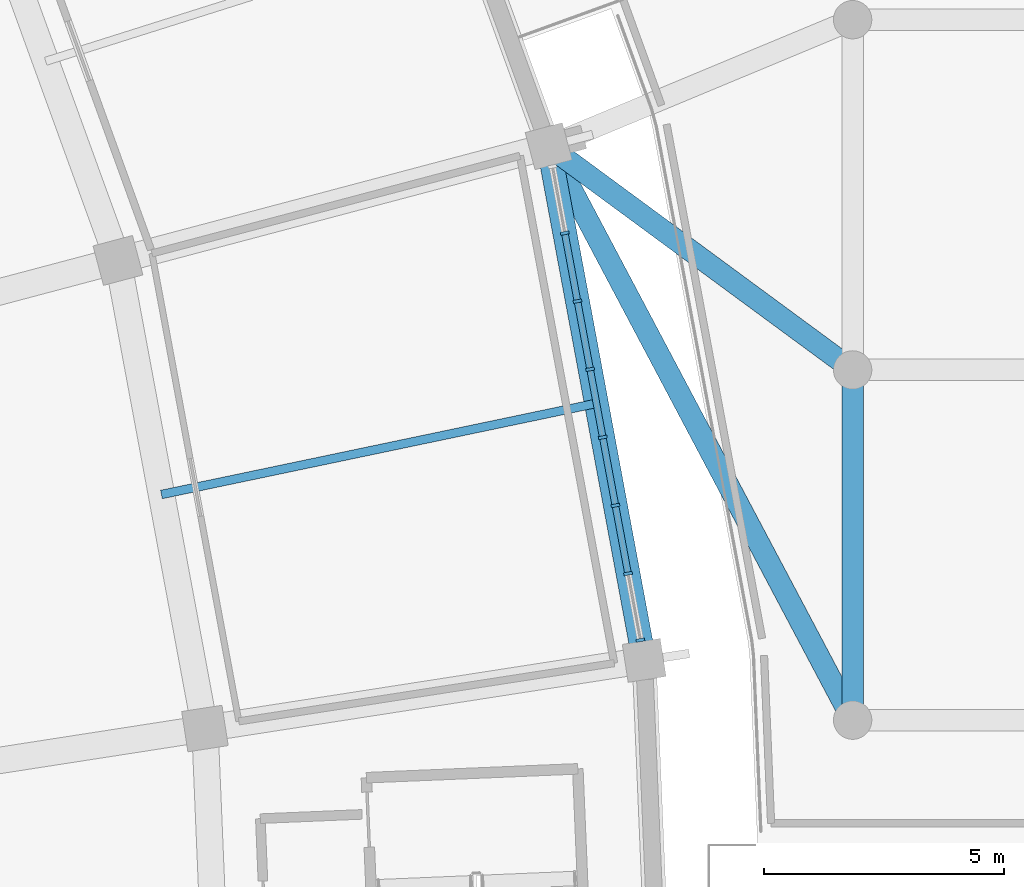
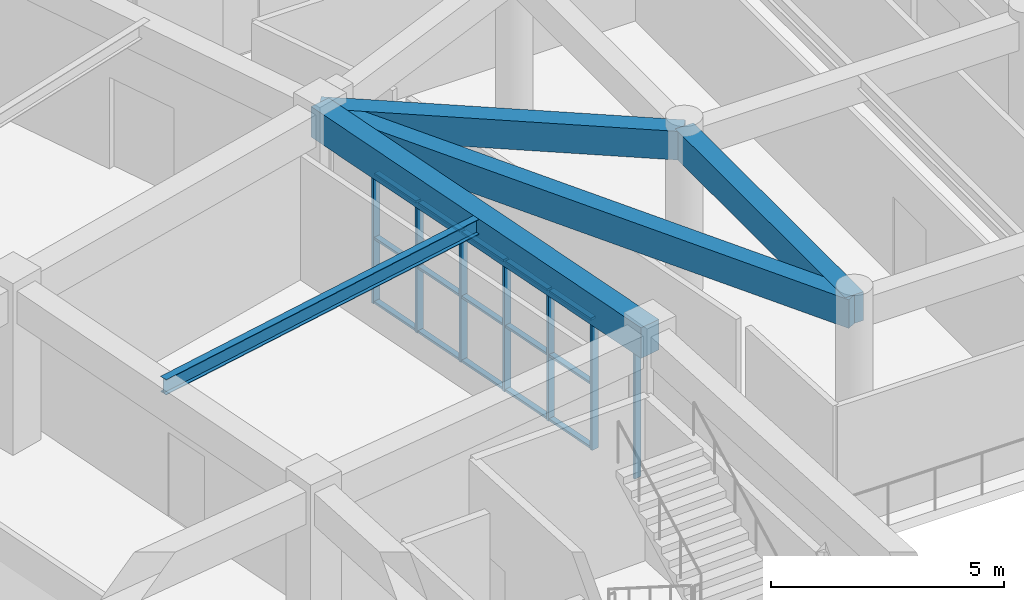
# One storey, part 51 of 145: 22 members, 5 beams, 1 element without a shape of its own.
"""IFC4 building model written with IfcOpenShell, lengths in metres."""

import ifcopenshell
import ifcopenshell.guid

model = None  # the IFC model being written
_history = None  # IfcOwnerHistory: only IFC2X3 demands one
_inside = {}  # id of a spatial element -> (the spatial element, [elements in it])
_under = {}  # id of a project, library or spatial element -> (it, [spatial elements below it])
_declared = {}  # id of a project -> (the project, [libraries it declares])
_typed = {}  # id of a type object -> (the type object, [elements of that type])
_made_of = {}  # id of a material, layer set ... -> (it, [elements and type objects made of it])


def new_model(schema):
    """Start an empty IFC model of exactly this schema.

    Asked for "IFC4X3", IfcOpenShell would pick the latest addendum, in which some entities
    have other attributes; the version numbers below select the first issue.
    IFC2X3 requires an IfcOwnerHistory on every rooted entity: one is made here for all.
    """
    global model, _history
    if schema == "IFC4X3":
        model = ifcopenshell.file(schema_version=(4, 3, 0, 0))
    else:
        model = ifcopenshell.file(schema=schema)
    _inside.clear()
    _under.clear()
    _declared.clear()
    _typed.clear()
    _made_of.clear()
    _history = None
    if model.schema == "IFC2X3":
        org = make("IfcOrganization", Name="unknown")
        user = make(
            "IfcPersonAndOrganization",
            ThePerson=make("IfcPerson", FamilyName="unknown"),
            TheOrganization=org,
        )
        app = make(
            "IfcApplication",
            ApplicationDeveloper=org,
            Version="unknown",
            ApplicationFullName="unknown",
            ApplicationIdentifier="unknown",
        )
        _history = make(
            "IfcOwnerHistory",
            OwningUser=user,
            OwningApplication=app,
            ChangeAction="ADDED",
            CreationDate=0,
        )
    return model


def make(cls, **values):
    """One entity of the class cls with the attributes given. An attribute that is None is left unset."""
    return model.create_entity(
        cls, **{name: value for name, value in values.items() if value is not None}
    )


def rooted(cls, **values):
    """An entity with a GlobalId (a new one), such as an element, a storey or a relation."""
    return make(cls, GlobalId=ifcopenshell.guid.new(), OwnerHistory=_history, **values)


def si_unit(unit_type, name, prefix=None):
    """IfcSIUnit, for example si_unit("LENGTHUNIT", "METRE", prefix="MILLI")."""
    return make("IfcSIUnit", UnitType=unit_type, Prefix=prefix, Name=name)


def assignment(units):
    """IfcUnitAssignment: the units of a project."""
    return None if units is None else make("IfcUnitAssignment", Units=units)


def point(xyz):
    """IfcCartesianPoint."""
    return None if xyz is None else make("IfcCartesianPoint", Coordinates=xyz)


def direction(xyz):
    """IfcDirection."""
    return None if xyz is None else make("IfcDirection", DirectionRatios=xyz)


def frame(location, z_axis=None, x_axis=None):
    """IfcAxis2Placement3D, a coordinate frame: its origin and axes. An axis left out is left unset."""
    return make(
        "IfcAxis2Placement3D",
        Location=point(location),
        Axis=direction(z_axis),
        RefDirection=direction(x_axis),
    )


def frame_2d(location, x_axis=None):
    """IfcAxis2Placement2D, a coordinate frame in the plane: its origin and x axis."""
    return make(
        "IfcAxis2Placement2D", Location=point(location), RefDirection=direction(x_axis)
    )


def origin():
    """The frame at (0, 0, 0) with its axes left unset."""
    return frame((0.0, 0.0, 0.0))


def origin_2d():
    """The frame at (0, 0) in the plane with its x axis left unset."""
    return frame_2d((0.0, 0.0))


def place(relative_to, where):
    """IfcLocalPlacement: puts the frame where relative to a parent placement (None: the world)."""
    return make(
        "IfcLocalPlacement", PlacementRelTo=relative_to, RelativePlacement=where
    )


def context(
    kind, dimensions, precision=None, world=None, true_north=None, identifier=None
):
    """IfcGeometricRepresentationContext, for example the 3D "Model" context."""
    return make(
        "IfcGeometricRepresentationContext",
        ContextIdentifier=identifier,
        ContextType=kind,
        CoordinateSpaceDimension=dimensions,
        Precision=precision,
        WorldCoordinateSystem=world,
        TrueNorth=true_north,
    )


def subcontext(parent, identifier, kind, view, scale=None):
    """IfcGeometricRepresentationSubContext, for example "Body" below "Model"."""
    return make(
        "IfcGeometricRepresentationSubContext",
        ContextIdentifier=identifier,
        ContextType=kind,
        ParentContext=parent,
        TargetScale=scale,
        TargetView=view,
    )


def project(units=None, contexts=None):
    """IfcProject with its units and contexts."""
    return rooted(
        "IfcProject",
        Name="project",
        RepresentationContexts=contexts,
        UnitsInContext=assignment(units),
    )


def spatial(cls, under=None, at=None, **own):
    """A site, building, storey or space (cls), placed at a placement, below another one or the project."""
    s = rooted(cls, ObjectPlacement=at, **own)
    if under is not None:
        _under.setdefault(under.id(), (under, []))[1].append(s)
    return s


def profile(cls, at=None, kind="AREA", **sizes):
    """A parametric profile (cls). Its sizes go by their IFC names, for example OverallWidth=200.0."""
    return make(cls, ProfileType=kind, Position=at, **sizes)


def rectangle(**sizes):
    """IfcRectangleProfileDef."""
    return profile("IfcRectangleProfileDef", **sizes)


def i_section(**sizes):
    """IfcIShapeProfileDef."""
    return profile("IfcIShapeProfileDef", **sizes)


def extrude(swept, where, along, depth):
    """IfcExtrudedAreaSolid: the profile swept, set in the frame where, extruded along a direction by depth."""
    return make(
        "IfcExtrudedAreaSolid",
        SweptArea=swept,
        Position=where,
        ExtrudedDirection=direction(along),
        Depth=depth,
    )


def shape(context_of_items, identifier, shape_type, items):
    """IfcShapeRepresentation: the items that make up one representation, for example the "Body"."""
    return make(
        "IfcShapeRepresentation",
        ContextOfItems=context_of_items,
        RepresentationIdentifier=identifier,
        RepresentationType=shape_type,
        Items=items,
    )


def material(Name=None, Category=None):
    """IfcMaterial."""
    return make("IfcMaterial", Name=Name, Category=Category)


def layer(
    of_material, thickness, ventilated=None, Name=None, Category=None, Priority=None
):
    """IfcMaterialLayer: one layer of a wall or slab, of a material (None: an air gap)."""
    return make(
        "IfcMaterialLayer",
        Material=of_material,
        LayerThickness=thickness,
        IsVentilated=ventilated,
        Name=Name,
        Category=Category,
        Priority=Priority,
    )


def layer_set(layers, Name=None):
    """IfcMaterialLayerSet."""
    return make("IfcMaterialLayerSet", MaterialLayers=layers, LayerSetName=Name)


def material_profile(
    of_material, cross_section, Name=None, Category=None, Priority=None
):
    """IfcMaterialProfile: a cross section and its material."""
    return make(
        "IfcMaterialProfile",
        Name=Name,
        Material=of_material,
        Profile=cross_section,
        Priority=Priority,
        Category=Category,
    )


def profile_set(profiles, Name=None, composite=None):
    """IfcMaterialProfileSet."""
    return make(
        "IfcMaterialProfileSet",
        Name=Name,
        MaterialProfiles=profiles,
        CompositeProfile=composite,
    )


def made_of(thing, what):
    """Note that an element or type object is made of a material, layer set ...; save() writes the relation."""
    if what is not None:
        _made_of.setdefault(what.id(), (what, []))[1].append(thing)
    return thing


def type_object(cls, material=None, **own):
    """A type object (cls), such as IfcWallType, which elements share."""
    return made_of(rooted(cls, **own), material)


def element(
    cls,
    number,
    at=None,
    inside=None,
    cuts=None,
    type_object=None,
    material=None,
    context=None,
    identifier="Body",
    shape_type=None,
    held_by="IfcProductDefinitionShape",
    body=None,
    shapes=None,
    **own,
):
    """One element of the class cls, such as IfcWall. Its Tag is "e" and its number.

    at: its placement. inside: the storey or other place that contains it. cuts: it is an
    opening in that element (IfcRelVoidsElement). A single representation is given by context,
    identifier, shape_type and body (its items); several are given by shapes. held_by: the class
    of the entity that holds the representations. save() writes the other relations.
    """
    e = rooted(cls, Tag="e%d" % number, ObjectPlacement=at, **own)
    if body is not None:
        shapes = [shape(context, identifier, shape_type, body)]
    if shapes is not None:
        e.Representation = make(held_by, Representations=shapes)
    if inside is not None:
        _inside.setdefault(inside.id(), (inside, []))[1].append(e)
    if cuts is not None:
        rooted(
            "IfcRelVoidsElement", RelatingBuildingElement=cuts, RelatedOpeningElement=e
        )
    if type_object is not None:
        _typed.setdefault(type_object.id(), (type_object, []))[1].append(e)
    return made_of(e, material)


def aggregate(whole, parts):
    """IfcRelAggregates: a whole, such as a stair, and the parts it consists of."""
    return rooted("IfcRelAggregates", RelatingObject=whole, RelatedObjects=parts)


def save(model, path):
    """Write the relations noted so far, then the file.

    IfcRelAggregates (storeys below a building ...), IfcRelContainedInSpatialStructure (elements
    in a storey), IfcRelDefinesByType, IfcRelAssociatesMaterial and IfcRelDeclares: one each for
    every whole, place, type object, material and project.
    """
    for whole, parts in _under.values():
        aggregate(whole, parts)
    for where, things in _inside.values():
        rooted(
            "IfcRelContainedInSpatialStructure",
            RelatedElements=things,
            RelatingStructure=where,
        )
    for kind, things in _typed.values():
        rooted("IfcRelDefinesByType", RelatedObjects=things, RelatingType=kind)
    for what, things in _made_of.values():
        rooted("IfcRelAssociatesMaterial", RelatedObjects=things, RelatingMaterial=what)
    for by, libraries in _declared.values():
        rooted("IfcRelDeclares", RelatingContext=by, RelatedDefinitions=libraries)
    model.write(path)


model = new_model("IFC4")

# Units and contexts
model_context = context("Model", 3, precision=1e-05, world=origin(), true_north=direction((0.0, 1.0)))
body_context = subcontext(model_context, "Body", "Model", "MODEL_VIEW")
ifc_project = project(units=[si_unit("LENGTHUNIT", "METRE"), si_unit("AREAUNIT", "SQUARE_METRE"), si_unit("VOLUMEUNIT", "CUBIC_METRE"), si_unit("PLANEANGLEUNIT", "RADIAN"), si_unit("MASSUNIT", "GRAM", prefix="KILO")], contexts=[model_context])

# Site, building, storey
site_placement = place(None, origin())
site = spatial("IfcSite", under=ifc_project, at=site_placement, CompositionType="ELEMENT")
building_placement = place(site_placement, origin())
building = spatial("IfcBuilding", under=site, at=building_placement, Name="Mphavela Belvedere Stadium", CompositionType="ELEMENT")
storey_placement = place(building_placement, frame((0.0, 0.0, 10.199951171875)))
storey = spatial("IfcBuildingStorey", under=building, at=storey_placement, Name="L02", CompositionType="ELEMENT", Elevation=10.199951171875)

# Beams
ifc_material_1 = material(Name="Steel S355", Category="steel")
ifc_material_profile_1 = material_profile(ifc_material_1, i_section(OverallWidth=0.179931640625, OverallDepth=0.39990234375, WebThickness=0.008544921875, FlangeThickness=0.013427734375, at=origin_2d()), Name="IPE 400")
ifc_profile_set_1 = profile_set([ifc_material_profile_1], Name="Steel S355")
beam_type_1 = type_object("IfcBeamType", Name="BM-JOIST-IPE400", PredefinedType="JOIST", material=ifc_profile_set_1)
beam_1_placement = place(storey_placement, frame((207.09375, 106.303466796875, 4.050048828125), z_axis=(0.978734790431, 0.205129739435, 0.0), x_axis=(-0.205129739435, 0.978734790431, 0.0)))
element("IfcBeam", 1, at=beam_1_placement, inside=storey, type_object=beam_type_1, Name="Concourse floor joist L02-02", PredefinedType="JOIST", context=body_context, shape_type="SweptSolid", body=[
    extrude(i_section(OverallWidth=0.179931640625, OverallDepth=0.39990234375, WebThickness=0.008544921875, FlangeThickness=0.013427734375, at=origin_2d()), origin(), (0.0, 0.0, 1.0), 9.26318359375),
])
ifc_material_2 = material(Name="Concrete C40/50", Category="concrete")
ifc_material_profile_2 = material_profile(ifc_material_2, rectangle(XDim=0.449951171875, YDim=0.75, at=origin_2d()), Name="RC 450x750")
ifc_profile_set_2 = profile_set([ifc_material_profile_2], Name="Concrete C40/50")
beam_type_2 = type_object("IfcBeamType", Name="BM-RC450x750", PredefinedType="BEAM", material=ifc_profile_set_2)
beam_2_placement = place(storey_placement, frame((221.5, 101.60009765625, 3.864990234375), z_axis=(0.0, 1.0, 0.0), x_axis=(-1.0, 0.0, 0.0)))
element("IfcBeam", 2, at=beam_2_placement, inside=storey, type_object=beam_type_2, Name="East Planted Eaves Peristyle Colonnade entablature beam Y L02 8-8", PredefinedType="BEAM", context=body_context, shape_type="SweptSolid", body=[
    extrude(rectangle(XDim=0.449951171875, YDim=0.75, at=origin_2d()), origin(), (0.0, 0.0, 1.0), 7.2998046875),
])
beam_3_placement = place(storey_placement, frame((221.5, 101.60009765625, 3.864990234375), z_axis=(-0.468026930874, 0.883714202657, 0.0), x_axis=(-0.883714202657, -0.468026930874, 0.0)))
element("IfcBeam", 3, at=beam_3_placement, inside=storey, type_object=beam_type_2, Name="East Planted Eaves Peristyle Colonnade bowl link girder L02-2", PredefinedType="BEAM", context=body_context, shape_type="SweptSolid", body=[
    extrude(rectangle(XDim=0.449951171875, YDim=0.75, at=origin_2d()), origin(), (0.0, 0.0, 1.0), 13.53662109375),
])
beam_4_placement = place(storey_placement, frame((221.5, 108.89990234375, 3.864990234375), z_axis=(-0.805397383999, 0.592735230814, 0.0), x_axis=(-0.592735230814, -0.805397383999, 0.0)))
element("IfcBeam", 4, at=beam_4_placement, inside=storey, type_object=beam_type_2, Name="East Planted Eaves Peristyle Colonnade bowl link girder L02-4", PredefinedType="BEAM", context=body_context, shape_type="SweptSolid", body=[
    extrude(rectangle(XDim=0.449951171875, YDim=0.75, at=origin_2d()), origin(), (0.0, 0.0, 1.0), 7.8662109375),
])
ifc_material_3 = material(Name="Concrete C40/50", Category="concrete")
ifc_material_profile_3 = material_profile(ifc_material_3, rectangle(XDim=0.5, YDim=0.800048828125, at=origin_2d()), Name="RC 500x800")
ifc_profile_set_3 = profile_set([ifc_material_profile_3], Name="Concrete C40/50")
beam_type_3 = type_object("IfcBeamType", Name="BM-SPANDREL-800", PredefinedType="SPANDREL", material=ifc_profile_set_3)
beam_5_placement = place(storey_placement, frame((217.155517578125, 102.844970703125, 3.85009765625), z_axis=(-0.18264260648, 0.983179372393, 0.0), x_axis=(-0.983179372393, -0.18264260648, 0.0)))
element("IfcBeam", 5, at=beam_5_placement, inside=storey, type_object=beam_type_3, Name="Circumferential girder L02 R4-02", PredefinedType="SPANDREL", context=body_context, shape_type="SweptSolid", body=[
    extrude(rectangle(XDim=0.5, YDim=0.800048828125, at=origin_2d()), origin(), (0.0, 0.0, 1.0), 10.90087890625),
])

# Curtain wall, members
ifc_material_4 = material(Name="Anodised bronze unitised curtain wall framing")
ifc_layer = layer(ifc_material_4, 0.179931640625)
ifc_layer_set = layer_set([ifc_layer], Name="Anodised bronze unitised curtain wall framing")
curtain_wall_type = type_object("IfcCurtainWallType", Name="CW-UNIT-01", PredefinedType="USERDEFINED", material=ifc_layer_set)
curtain_wall_placement = place(storey_placement, origin())
curtain_wall = element("IfcCurtainWall", 6, at=curtain_wall_placement, inside=storey, type_object=curtain_wall_type, Name="Belvedere colonnade curtain wall L02-02", ObjectType="UNITISED CURTAIN WALL", PredefinedType="USERDEFINED")
ifc_material_5 = material(Name="Anodised bronze extruded aluminium", Category="aluminium")
ifc_material_profile_4 = material_profile(ifc_material_5, rectangle(XDim=0.179931640625, YDim=0.06494140625, at=origin_2d()), Name="CW-MUL 180x65")
ifc_profile_set_4 = profile_set([ifc_material_profile_4], Name="Anodised bronze extruded aluminium")
member_type_1 = type_object("IfcMemberType", Name="CWM-180x65", PredefinedType="MULLION", material=ifc_profile_set_4)
member_1_placement = place(storey_placement, frame((217.07666015625, 103.268310546875, 0.0), z_axis=(0.0, 0.0, 1.0), x_axis=(-0.983182568174, -0.182625402503, 0.0)))
member_1 = element("IfcMember", 7, at=member_1_placement, type_object=member_type_1, Name="CW-01 mullion 1", PredefinedType="MULLION", context=body_context, shape_type="SweptSolid", body=[
    extrude(rectangle(XDim=0.179931640625, YDim=0.06494140625, at=origin_2d()), origin(), (0.0, 0.0, 1.0), 3.420166015625),
])
member_2_placement = place(storey_placement, frame((216.819091796875, 104.655517578125, 0.0), z_axis=(0.0, 0.0, 1.0), x_axis=(-0.983182568174, -0.182625402503, 0.0)))
member_2 = element("IfcMember", 8, at=member_2_placement, type_object=member_type_1, Name="CW-01 mullion 2", PredefinedType="MULLION", context=body_context, shape_type="SweptSolid", body=[
    extrude(rectangle(XDim=0.179931640625, YDim=0.06494140625, at=origin_2d()), origin(), (0.0, 0.0, 1.0), 3.420166015625),
])
member_3_placement = place(storey_placement, frame((216.555419921875, 106.074951171875, 0.0), z_axis=(0.0, 0.0, 1.0), x_axis=(-0.983182568174, -0.182625402503, 0.0)))
member_3 = element("IfcMember", 9, at=member_3_placement, type_object=member_type_1, Name="CW-01 mullion 3", PredefinedType="MULLION", context=body_context, shape_type="SweptSolid", body=[
    extrude(rectangle(XDim=0.179931640625, YDim=0.06494140625, at=origin_2d()), origin(), (0.0, 0.0, 1.0), 3.420166015625),
])
member_4_placement = place(storey_placement, frame((216.291748046875, 107.494140625, 0.0), z_axis=(0.0, 0.0, 1.0), x_axis=(-0.983182568174, -0.182625402503, 0.0)))
member_4 = element("IfcMember", 10, at=member_4_placement, type_object=member_type_1, Name="CW-01 mullion 4", PredefinedType="MULLION", context=body_context, shape_type="SweptSolid", body=[
    extrude(rectangle(XDim=0.179931640625, YDim=0.06494140625, at=origin_2d()), origin(), (0.0, 0.0, 1.0), 3.420166015625),
])
member_5_placement = place(storey_placement, frame((216.028076171875, 108.913330078125, 0.0), z_axis=(0.0, 0.0, 1.0), x_axis=(-0.983182568174, -0.182625402503, 0.0)))
member_5 = element("IfcMember", 11, at=member_5_placement, type_object=member_type_1, Name="CW-01 mullion 5", PredefinedType="MULLION", context=body_context, shape_type="SweptSolid", body=[
    extrude(rectangle(XDim=0.179931640625, YDim=0.06494140625, at=origin_2d()), origin(), (0.0, 0.0, 1.0), 3.420166015625),
])
member_6_placement = place(storey_placement, frame((215.7646484375, 110.332763671875, 0.0), z_axis=(0.0, 0.0, 1.0), x_axis=(-0.983182568174, -0.182625402503, 0.0)))
member_6 = element("IfcMember", 12, at=member_6_placement, type_object=member_type_1, Name="CW-01 mullion 6", PredefinedType="MULLION", context=body_context, shape_type="SweptSolid", body=[
    extrude(rectangle(XDim=0.179931640625, YDim=0.06494140625, at=origin_2d()), origin(), (0.0, 0.0, 1.0), 3.420166015625),
])
member_7_placement = place(storey_placement, frame((215.5009765625, 111.751953125, 0.0), z_axis=(0.0, 0.0, 1.0), x_axis=(-0.983182568174, -0.182625402503, 0.0)))
member_7 = element("IfcMember", 13, at=member_7_placement, type_object=member_type_1, Name="CW-01 mullion 7", PredefinedType="MULLION", context=body_context, shape_type="SweptSolid", body=[
    extrude(rectangle(XDim=0.179931640625, YDim=0.06494140625, at=origin_2d()), origin(), (0.0, 0.0, 1.0), 3.420166015625),
])
ifc_material_6 = material(Name="Anodised bronze extruded aluminium", Category="aluminium")
ifc_material_profile_5 = material_profile(ifc_material_6, rectangle(XDim=0.139892578125, YDim=0.06005859375, at=origin_2d()), Name="CW-TRN 140x60")
ifc_profile_set_5 = profile_set([ifc_material_profile_5], Name="Anodised bronze extruded aluminium")
member_type_2 = type_object("IfcMemberType", Name="CWT-140x60", PredefinedType="USERDEFINED", material=ifc_profile_set_5)
member_8_placement = place(storey_placement, frame((216.813232421875, 104.6875, 0.030029296875), z_axis=(-0.182748697286, 0.983159658265, 0.0), x_axis=(-0.983159658265, -0.182748697286, 0.0)))
member_8 = element("IfcMember", 14, at=member_8_placement, type_object=member_type_2, Name="CW-01 transom 2.1", ObjectType="TRANSOM", PredefinedType="USERDEFINED", context=body_context, shape_type="SweptSolid", body=[
    extrude(rectangle(XDim=0.139892578125, YDim=0.06005859375, at=origin_2d()), origin(), (0.0, 0.0, 1.0), 1.378662109375),
])
member_9_placement = place(storey_placement, frame((216.813232421875, 104.6875, 1.7099609375), z_axis=(-0.182748697286, 0.983159658265, 0.0), x_axis=(-0.983159658265, -0.182748697286, 0.0)))
member_9 = element("IfcMember", 15, at=member_9_placement, type_object=member_type_2, Name="CW-01 transom 2.2", ObjectType="TRANSOM", PredefinedType="USERDEFINED", context=body_context, shape_type="SweptSolid", body=[
    extrude(rectangle(XDim=0.139892578125, YDim=0.06005859375, at=origin_2d()), origin(), (0.0, 0.0, 1.0), 1.378662109375),
])
member_10_placement = place(storey_placement, frame((216.813232421875, 104.6875, 3.39013671875), z_axis=(-0.182748697286, 0.983159658265, 0.0), x_axis=(-0.983159658265, -0.182748697286, 0.0)))
member_10 = element("IfcMember", 16, at=member_10_placement, type_object=member_type_2, Name="CW-01 transom 2.3", ObjectType="TRANSOM", PredefinedType="USERDEFINED", context=body_context, shape_type="SweptSolid", body=[
    extrude(rectangle(XDim=0.139892578125, YDim=0.06005859375, at=origin_2d()), origin(), (0.0, 0.0, 1.0), 1.378662109375),
])
member_11_placement = place(storey_placement, frame((216.549560546875, 106.106689453125, 0.030029296875), z_axis=(-0.182577520933, 0.983191460932, 0.0), x_axis=(-0.983191460932, -0.182577520933, 0.0)))
member_11 = element("IfcMember", 17, at=member_11_placement, type_object=member_type_2, Name="CW-01 transom 3.1", ObjectType="TRANSOM", PredefinedType="USERDEFINED", context=body_context, shape_type="SweptSolid", body=[
    extrude(rectangle(XDim=0.139892578125, YDim=0.06005859375, at=origin_2d()), origin(), (0.0, 0.0, 1.0), 1.378662109375),
])
member_12_placement = place(storey_placement, frame((216.549560546875, 106.106689453125, 1.7099609375), z_axis=(-0.182577520933, 0.983191460932, 0.0), x_axis=(-0.983191460932, -0.182577520933, 0.0)))
member_12 = element("IfcMember", 18, at=member_12_placement, type_object=member_type_2, Name="CW-01 transom 3.2", ObjectType="TRANSOM", PredefinedType="USERDEFINED", context=body_context, shape_type="SweptSolid", body=[
    extrude(rectangle(XDim=0.139892578125, YDim=0.06005859375, at=origin_2d()), origin(), (0.0, 0.0, 1.0), 1.378662109375),
])
member_13_placement = place(storey_placement, frame((216.549560546875, 106.106689453125, 3.39013671875), z_axis=(-0.182577520933, 0.983191460932, 0.0), x_axis=(-0.983191460932, -0.182577520933, 0.0)))
member_13 = element("IfcMember", 19, at=member_13_placement, type_object=member_type_2, Name="CW-01 transom 3.3", ObjectType="TRANSOM", PredefinedType="USERDEFINED", context=body_context, shape_type="SweptSolid", body=[
    extrude(rectangle(XDim=0.139892578125, YDim=0.06005859375, at=origin_2d()), origin(), (0.0, 0.0, 1.0), 1.378662109375),
])
member_14_placement = place(storey_placement, frame((216.285888671875, 107.526123046875, 0.030029296875), z_axis=(-0.182609315167, 0.983185556248, 0.0), x_axis=(-0.983185556248, -0.182609315167, 0.0)))
member_14 = element("IfcMember", 20, at=member_14_placement, type_object=member_type_2, Name="CW-01 transom 4.1", ObjectType="TRANSOM", PredefinedType="USERDEFINED", context=body_context, shape_type="SweptSolid", body=[
    extrude(rectangle(XDim=0.139892578125, YDim=0.06005859375, at=origin_2d()), origin(), (0.0, 0.0, 1.0), 1.37841796875),
])
member_15_placement = place(storey_placement, frame((216.285888671875, 107.526123046875, 1.7099609375), z_axis=(-0.182609315167, 0.983185556248, 0.0), x_axis=(-0.983185556248, -0.182609315167, 0.0)))
member_15 = element("IfcMember", 21, at=member_15_placement, type_object=member_type_2, Name="CW-01 transom 4.2", ObjectType="TRANSOM", PredefinedType="USERDEFINED", context=body_context, shape_type="SweptSolid", body=[
    extrude(rectangle(XDim=0.139892578125, YDim=0.06005859375, at=origin_2d()), origin(), (0.0, 0.0, 1.0), 1.37841796875),
])
member_16_placement = place(storey_placement, frame((216.285888671875, 107.526123046875, 3.39013671875), z_axis=(-0.182609315167, 0.983185556248, 0.0), x_axis=(-0.983185556248, -0.182609315167, 0.0)))
member_16 = element("IfcMember", 22, at=member_16_placement, type_object=member_type_2, Name="CW-01 transom 4.3", ObjectType="TRANSOM", PredefinedType="USERDEFINED", context=body_context, shape_type="SweptSolid", body=[
    extrude(rectangle(XDim=0.139892578125, YDim=0.06005859375, at=origin_2d()), origin(), (0.0, 0.0, 1.0), 1.37841796875),
])
member_17_placement = place(storey_placement, frame((216.022216796875, 108.9453125, 0.030029296875), z_axis=(-0.182577520933, 0.983191460932, 0.0), x_axis=(-0.983191460932, -0.182577520933, 0.0)))
member_17 = element("IfcMember", 23, at=member_17_placement, type_object=member_type_2, Name="CW-01 transom 5.1", ObjectType="TRANSOM", PredefinedType="USERDEFINED", context=body_context, shape_type="SweptSolid", body=[
    extrude(rectangle(XDim=0.139892578125, YDim=0.06005859375, at=origin_2d()), origin(), (0.0, 0.0, 1.0), 1.378662109375),
])
member_18_placement = place(storey_placement, frame((216.022216796875, 108.9453125, 1.7099609375), z_axis=(-0.182577520933, 0.983191460932, 0.0), x_axis=(-0.983191460932, -0.182577520933, 0.0)))
member_18 = element("IfcMember", 24, at=member_18_placement, type_object=member_type_2, Name="CW-01 transom 5.2", ObjectType="TRANSOM", PredefinedType="USERDEFINED", context=body_context, shape_type="SweptSolid", body=[
    extrude(rectangle(XDim=0.139892578125, YDim=0.06005859375, at=origin_2d()), origin(), (0.0, 0.0, 1.0), 1.378662109375),
])
member_19_placement = place(storey_placement, frame((216.022216796875, 108.9453125, 3.39013671875), z_axis=(-0.182577520933, 0.983191460932, 0.0), x_axis=(-0.983191460932, -0.182577520933, 0.0)))
member_19 = element("IfcMember", 25, at=member_19_placement, type_object=member_type_2, Name="CW-01 transom 5.3", ObjectType="TRANSOM", PredefinedType="USERDEFINED", context=body_context, shape_type="SweptSolid", body=[
    extrude(rectangle(XDim=0.139892578125, YDim=0.06005859375, at=origin_2d()), origin(), (0.0, 0.0, 1.0), 1.378662109375),
])
member_20_placement = place(storey_placement, frame((215.758544921875, 110.364501953125, 0.030029296875), z_axis=(-0.182577520933, 0.983191460932, 0.0), x_axis=(-0.983191460932, -0.182577520933, 0.0)))
member_20 = element("IfcMember", 26, at=member_20_placement, type_object=member_type_2, Name="CW-01 transom 6.1", ObjectType="TRANSOM", PredefinedType="USERDEFINED", context=body_context, shape_type="SweptSolid", body=[
    extrude(rectangle(XDim=0.139892578125, YDim=0.06005859375, at=origin_2d()), origin(), (0.0, 0.0, 1.0), 1.378662109375),
])
member_21_placement = place(storey_placement, frame((215.758544921875, 110.364501953125, 1.7099609375), z_axis=(-0.182577520933, 0.983191460932, 0.0), x_axis=(-0.983191460932, -0.182577520933, 0.0)))
member_21 = element("IfcMember", 27, at=member_21_placement, type_object=member_type_2, Name="CW-01 transom 6.2", ObjectType="TRANSOM", PredefinedType="USERDEFINED", context=body_context, shape_type="SweptSolid", body=[
    extrude(rectangle(XDim=0.139892578125, YDim=0.06005859375, at=origin_2d()), origin(), (0.0, 0.0, 1.0), 1.378662109375),
])
member_22_placement = place(storey_placement, frame((215.758544921875, 110.364501953125, 3.39013671875), z_axis=(-0.182577520933, 0.983191460932, 0.0), x_axis=(-0.983191460932, -0.182577520933, 0.0)))
member_22 = element("IfcMember", 28, at=member_22_placement, type_object=member_type_2, Name="CW-01 transom 6.3", ObjectType="TRANSOM", PredefinedType="USERDEFINED", context=body_context, shape_type="SweptSolid", body=[
    extrude(rectangle(XDim=0.139892578125, YDim=0.06005859375, at=origin_2d()), origin(), (0.0, 0.0, 1.0), 1.378662109375),
])
aggregate(curtain_wall, [member_1, member_2, member_3, member_4, member_5, member_6, member_7, member_8, member_9, member_10, member_11, member_12, member_13, member_14, member_15, member_16, member_17, member_18, member_19, member_20, member_21, member_22])

save(model, "model.ifc")
